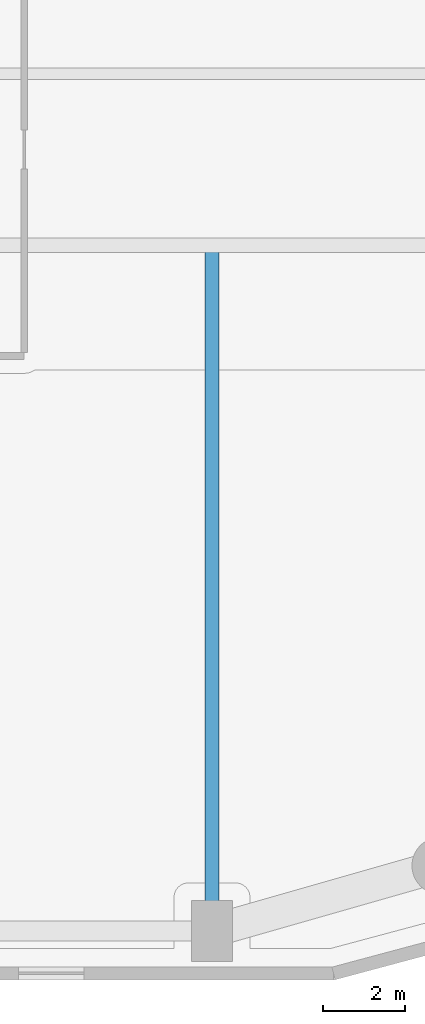
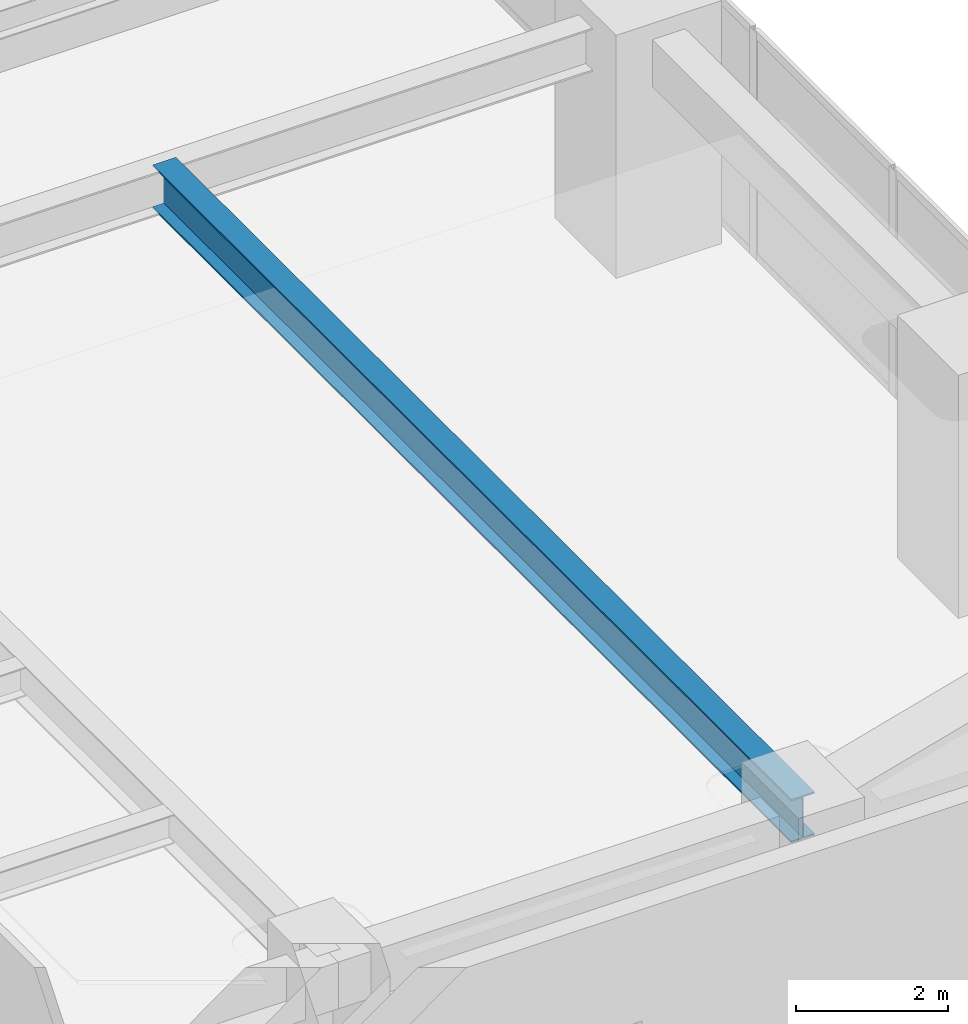
# One storey, part 5 of 29: 1 beam.
"""IFC4 building model written with IfcOpenShell, lengths in metres."""

from ifc_helpers import new_model, si_unit, direction, frame, origin, origin_2d, place, context, subcontext, project, spatial, i_section, extrude, material, material_profile, profile_set, type_object, element, save


model = new_model("IFC4")

# Units and contexts
model_context = context("Model", 3, precision=1e-05, world=origin(), true_north=direction((0.0, 1.0)))
body_context = subcontext(model_context, "Body", "Model", "MODEL_VIEW")
ifc_project = project(units=[si_unit("LENGTHUNIT", "METRE"), si_unit("AREAUNIT", "SQUARE_METRE"), si_unit("VOLUMEUNIT", "CUBIC_METRE"), si_unit("PLANEANGLEUNIT", "RADIAN"), si_unit("MASSUNIT", "GRAM", prefix="KILO")], contexts=[model_context])

# Site, building, storey
site_placement = place(None, origin())
site = spatial("IfcSite", under=ifc_project, at=site_placement, CompositionType="ELEMENT")
building_placement = place(site_placement, origin())
building = spatial("IfcBuilding", under=site, at=building_placement, Name="Kiyonajd Concourse Tower", CompositionType="ELEMENT")
storey_placement = place(building_placement, frame((0.0, 0.0, 52.800048828125)))
storey = spatial("IfcBuildingStorey", under=building, at=storey_placement, Name="L14", CompositionType="ELEMENT", Elevation=52.800048828125)

# Beam
ifc_material = material(Name="Steel ASTM A992 Grade 50", Category="steel")
ifc_material_profile = material_profile(ifc_material, i_section(OverallWidth=0.35498046875, OverallDepth=0.695068359375, WebThickness=0.015380859375, FlangeThickness=0.02490234375, at=origin_2d()), Name="W690X217")
ifc_profile_set = profile_set([ifc_material_profile], Name="Steel ASTM A992 Grade 50")
beam_type = type_object("IfcBeamType", Name="BM-TWR-690", PredefinedType="BEAM", material=ifc_profile_set)
beam_placement = place(storey_placement, frame((70.800048828125, 10.800048828125, 3.29248046875), z_axis=(0.0, 1.0, 0.0), x_axis=(-1.0, 0.0, 0.0)))
element("IfcBeam", 1, at=beam_placement, inside=storey, type_object=beam_type, Name="L14 South Lease Girder", PredefinedType="BEAM", context=body_context, shape_type="SweptSolid", body=[
    extrude(i_section(OverallWidth=0.35498046875, OverallDepth=0.695068359375, WebThickness=0.015380859375, FlangeThickness=0.02490234375, at=origin_2d()), origin(), (0.0, 0.0, 1.0), 16.800048828125),
])

save(model, "model.ifc")
